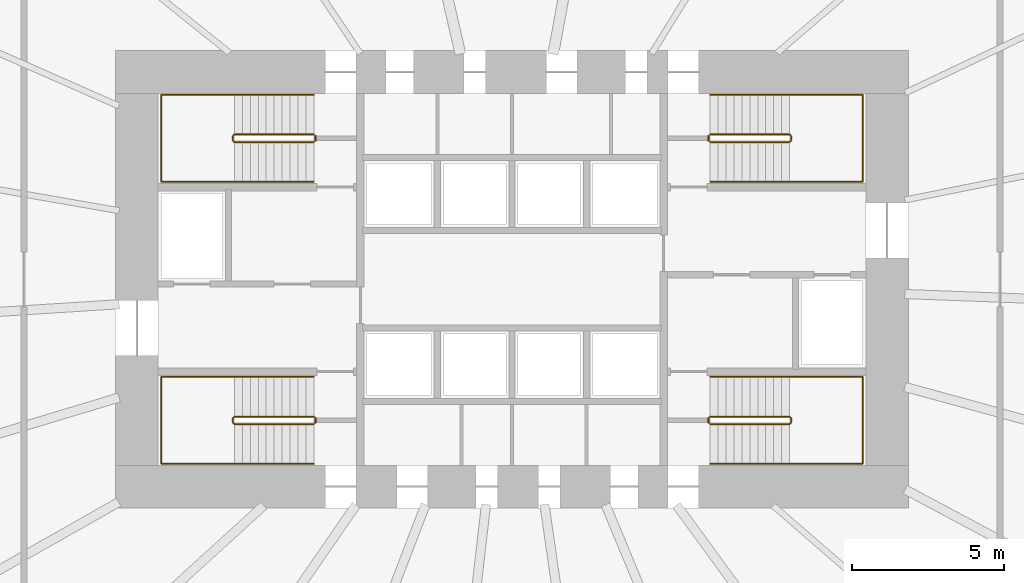
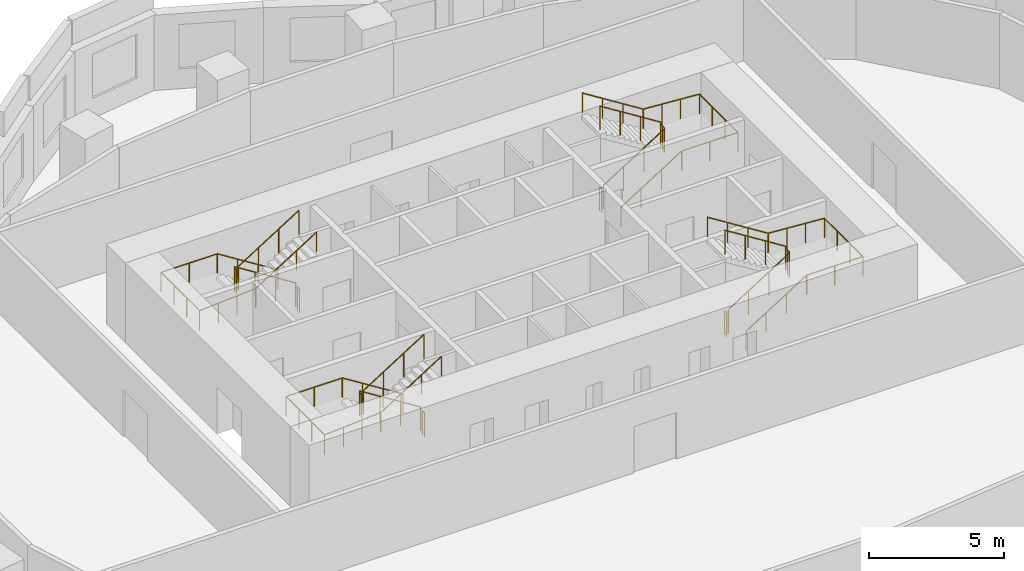
# One storey, part 8 of 8: 12 railings.
"""IFC4 building model written with IfcOpenShell, lengths in metres."""

from ifc_helpers import new_model, si_unit, direction, frame, origin, origin_2d, place, context, subcontext, project, spatial, circle, extrude, material, type_object, element, save


model = new_model("IFC4")

# Units and contexts
model_context = context("Model", 3, precision=1e-05, world=origin(), true_north=direction((0.0, 1.0)))
body_context = subcontext(model_context, "Body", "Model", "MODEL_VIEW")
ifc_project = project(units=[si_unit("LENGTHUNIT", "METRE"), si_unit("AREAUNIT", "SQUARE_METRE"), si_unit("VOLUMEUNIT", "CUBIC_METRE"), si_unit("PLANEANGLEUNIT", "RADIAN"), si_unit("MASSUNIT", "GRAM", prefix="KILO")], contexts=[model_context])

# Site, building, storey
site_placement = place(None, origin())
site = spatial("IfcSite", under=ifc_project, at=site_placement, CompositionType="ELEMENT")
building_placement = place(site_placement, origin())
building = spatial("IfcBuilding", under=site, at=building_placement, Name="Rubra Terraces Tower", CompositionType="ELEMENT")
storey_placement = place(building_placement, frame((0.0, 0.0, 55.5)))
storey = spatial("IfcBuildingStorey", under=building, at=storey_placement, Name="L11", CompositionType="ELEMENT", Elevation=55.5)

# Railings
ifc_material = material(Name="Stainless steel", Category="steel")
railing_type_1 = type_object("IfcRailingType", Name="Core stair guard 1100", PredefinedType="GUARDRAIL", material=ifc_material)
railing_1_placement = place(storey_placement, frame((-6.5, 0.0, 0.16357421875)))
element("IfcRailing", 1, at=railing_1_placement, inside=storey, type_object=railing_type_1, Name="L11 stair S1 guard 1", PredefinedType="GUARDRAIL", context=body_context, shape_type="SweptSolid", body=[
    extrude(circle(Radius=0.02392578125, at=origin_2d()), frame((0.0, 0.0, 1.076171875), z_axis=(-0.846324394277, 0.0, 0.532667832379), x_axis=(0.0, -1.0, 0.0)), (0.0, 0.0, 1.0), 3.072265625),
    extrude(circle(Radius=0.02392578125, at=origin_2d()), frame((-2.60009765625, 0.0, 2.71240234375), z_axis=(-0.705375805398, -0.708833529934, 0.0), x_axis=(0.708833529934, -0.705375805398, 0.0)), (0.0, 0.0, 1.0), 0.070556640625),
    extrude(circle(Radius=0.02392578125, at=origin_2d()), frame((-2.64990234375, -0.050048828125, 2.71240234375), z_axis=(0.0, -1.0, 0.0), x_axis=(1.0, 0.0, 0.0)), (0.0, 0.0, 1.0), 0.14990234375),
    extrude(circle(Radius=0.02392578125, at=origin_2d()), frame((-2.64990234375, -0.199951171875, 2.71240234375), z_axis=(0.279546231943, -0.280916556609, 0.91811752648), x_axis=(0.708833529934, 0.705375805398, 0.0)), (0.0, 0.0, 1.0), 0.17822265625),
    extrude(circle(Radius=0.02392578125, at=origin_2d()), frame((-2.60009765625, -0.25, 2.8759765625), z_axis=(0.846324394277, 0.0, 0.532667832379), x_axis=(0.0, 1.0, 0.0)), (0.0, 0.0, 1.0), 3.072265625),
    extrude(circle(Radius=0.02099609375, at=origin_2d()), origin(), (0.0, 0.0, 1.0), 1.052001953125),
    extrude(circle(Radius=0.02099609375, at=origin_2d()), frame((-0.86669921875, 0.0, 0.54541015625)), (0.0, 0.0, 1.0), 1.052001953125),
    extrude(circle(Radius=0.02099609375, at=origin_2d()), frame((-1.7333984375, 0.0, 1.091064453125)), (0.0, 0.0, 1.0), 1.052001953125),
    extrude(circle(Radius=0.02099609375, at=origin_2d()), frame((-2.60009765625, 0.0, 1.636474609375)), (0.0, 0.0, 1.0), 1.052001953125),
    extrude(circle(Radius=0.02099609375, at=origin_2d()), frame((-2.64990234375, -0.050048828125, 1.636474609375)), (0.0, 0.0, 1.0), 1.052001953125),
    extrude(circle(Radius=0.02099609375, at=origin_2d()), frame((-2.64990234375, -0.199951171875, 1.636474609375)), (0.0, 0.0, 1.0), 1.052001953125),
    extrude(circle(Radius=0.02099609375, at=origin_2d()), frame((-2.60009765625, -0.25, 1.800048828125)), (0.0, 0.0, 1.0), 1.052001953125),
    extrude(circle(Radius=0.02099609375, at=origin_2d()), frame((-1.7333984375, -0.25, 2.345458984375)), (0.0, 0.0, 1.0), 1.052001953125),
    extrude(circle(Radius=0.02099609375, at=origin_2d()), frame((-0.86669921875, -0.25, 2.89111328125)), (0.0, 0.0, 1.0), 1.052001953125),
    extrude(circle(Radius=0.02099609375, at=origin_2d()), frame((0.0, -0.25, 3.4365234375)), (0.0, 0.0, 1.0), 1.052001953125),
])
railing_2_placement = place(storey_placement, frame((-6.449951171875, -0.050048828125, 0.0)))
element("IfcRailing", 2, at=railing_2_placement, inside=storey, type_object=railing_type_1, Name="L11 stair S1 guard 2", PredefinedType="GUARDRAIL", context=body_context, shape_type="SweptSolid", body=[
    extrude(circle(Radius=0.02392578125, at=origin_2d()), frame((0.0, 0.0, 1.076171875), z_axis=(0.0, -1.0, 0.0), x_axis=(1.0, 0.0, 0.0)), (0.0, 0.0, 1.0), 0.14990234375),
    extrude(circle(Radius=0.02099609375, at=origin_2d()), origin(), (0.0, 0.0, 1.0), 1.052001953125),
    extrude(circle(Radius=0.02099609375, at=origin_2d()), frame((0.0, -0.14990234375, 0.0)), (0.0, 0.0, 1.0), 1.052001953125),
])
railing_3_placement = place(storey_placement, frame((-6.5, 9.25, 0.16357421875)))
element("IfcRailing", 3, at=railing_3_placement, inside=storey, type_object=railing_type_1, Name="L11 stair S2 guard 1", PredefinedType="GUARDRAIL", context=body_context, shape_type="SweptSolid", body=[
    extrude(circle(Radius=0.02392578125, at=origin_2d()), frame((0.0, 0.0, 1.076171875), z_axis=(-0.846324394277, 0.0, 0.532667832379), x_axis=(0.0, -1.0, 0.0)), (0.0, 0.0, 1.0), 3.072265625),
    extrude(circle(Radius=0.02392578125, at=origin_2d()), frame((-2.60009765625, 0.0, 2.71240234375), z_axis=(-0.705375805398, -0.708833529934, 0.0), x_axis=(0.708833529934, -0.705375805398, 0.0)), (0.0, 0.0, 1.0), 0.070556640625),
    extrude(circle(Radius=0.02392578125, at=origin_2d()), frame((-2.64990234375, -0.050048828125, 2.71240234375), z_axis=(0.0, -1.0, 0.0), x_axis=(1.0, 0.0, 0.0)), (0.0, 0.0, 1.0), 0.14990234375),
    extrude(circle(Radius=0.02392578125, at=origin_2d()), frame((-2.64990234375, -0.199951171875, 2.71240234375), z_axis=(0.279546231943, -0.280916556609, 0.91811752648), x_axis=(0.708833529934, 0.705375805398, 0.0)), (0.0, 0.0, 1.0), 0.17822265625),
    extrude(circle(Radius=0.02392578125, at=origin_2d()), frame((-2.60009765625, -0.25, 2.8759765625), z_axis=(0.846324394277, 0.0, 0.532667832379), x_axis=(0.0, 1.0, 0.0)), (0.0, 0.0, 1.0), 3.072265625),
    extrude(circle(Radius=0.02099609375, at=origin_2d()), origin(), (0.0, 0.0, 1.0), 1.052001953125),
    extrude(circle(Radius=0.02099609375, at=origin_2d()), frame((-0.86669921875, 0.0, 0.54541015625)), (0.0, 0.0, 1.0), 1.052001953125),
    extrude(circle(Radius=0.02099609375, at=origin_2d()), frame((-1.7333984375, 0.0, 1.091064453125)), (0.0, 0.0, 1.0), 1.052001953125),
    extrude(circle(Radius=0.02099609375, at=origin_2d()), frame((-2.60009765625, 0.0, 1.636474609375)), (0.0, 0.0, 1.0), 1.052001953125),
    extrude(circle(Radius=0.02099609375, at=origin_2d()), frame((-2.64990234375, -0.050048828125, 1.636474609375)), (0.0, 0.0, 1.0), 1.052001953125),
    extrude(circle(Radius=0.02099609375, at=origin_2d()), frame((-2.64990234375, -0.199951171875, 1.636474609375)), (0.0, 0.0, 1.0), 1.052001953125),
    extrude(circle(Radius=0.02099609375, at=origin_2d()), frame((-2.60009765625, -0.25, 1.800048828125)), (0.0, 0.0, 1.0), 1.052001953125),
    extrude(circle(Radius=0.02099609375, at=origin_2d()), frame((-1.7333984375, -0.25, 2.345458984375)), (0.0, 0.0, 1.0), 1.052001953125),
    extrude(circle(Radius=0.02099609375, at=origin_2d()), frame((-0.86669921875, -0.25, 2.89111328125)), (0.0, 0.0, 1.0), 1.052001953125),
    extrude(circle(Radius=0.02099609375, at=origin_2d()), frame((0.0, -0.25, 3.4365234375)), (0.0, 0.0, 1.0), 1.052001953125),
])
railing_4_placement = place(storey_placement, frame((-6.449951171875, 9.199951171875, 0.0)))
element("IfcRailing", 4, at=railing_4_placement, inside=storey, type_object=railing_type_1, Name="L11 stair S2 guard 2", PredefinedType="GUARDRAIL", context=body_context, shape_type="SweptSolid", body=[
    extrude(circle(Radius=0.02392578125, at=origin_2d()), frame((0.0, 0.0, 1.076171875), z_axis=(0.0, -1.0, 0.0), x_axis=(1.0, 0.0, 0.0)), (0.0, 0.0, 1.0), 0.14990234375),
    extrude(circle(Radius=0.02099609375, at=origin_2d()), origin(), (0.0, 0.0, 1.0), 1.052001953125),
    extrude(circle(Radius=0.02099609375, at=origin_2d()), frame((0.0, -0.14990234375, 0.0)), (0.0, 0.0, 1.0), 1.052001953125),
])
railing_5_placement = place(storey_placement, frame((6.5, 9.0, 0.16357421875)))
element("IfcRailing", 5, at=railing_5_placement, inside=storey, type_object=railing_type_1, Name="L11 stair S3 guard 1", PredefinedType="GUARDRAIL", context=body_context, shape_type="SweptSolid", body=[
    extrude(circle(Radius=0.02392578125, at=origin_2d()), frame((0.0, 0.0, 1.076171875), z_axis=(0.846324394277, 0.0, 0.532667832379), x_axis=(0.0, 1.0, 0.0)), (0.0, 0.0, 1.0), 3.072265625),
    extrude(circle(Radius=0.02392578125, at=origin_2d()), frame((2.60009765625, 0.0, 2.71240234375), z_axis=(0.705375805398, 0.708833529934, 0.0), x_axis=(-0.708833529934, 0.705375805398, 0.0)), (0.0, 0.0, 1.0), 0.070556640625),
    extrude(circle(Radius=0.02392578125, at=origin_2d()), frame((2.64990234375, 0.050048828125, 2.71240234375), z_axis=(0.0, 1.0, 0.0), x_axis=(-1.0, 0.0, 0.0)), (0.0, 0.0, 1.0), 0.14990234375),
    extrude(circle(Radius=0.02392578125, at=origin_2d()), frame((2.64990234375, 0.199951171875, 2.71240234375), z_axis=(-0.279546231943, 0.280916556609, 0.91811752648), x_axis=(-0.708833529934, -0.705375805398, 0.0)), (0.0, 0.0, 1.0), 0.17822265625),
    extrude(circle(Radius=0.02392578125, at=origin_2d()), frame((2.60009765625, 0.25, 2.8759765625), z_axis=(-0.846324394277, 0.0, 0.532667832379), x_axis=(0.0, -1.0, 0.0)), (0.0, 0.0, 1.0), 3.072265625),
    extrude(circle(Radius=0.02099609375, at=origin_2d()), origin(), (0.0, 0.0, 1.0), 1.052001953125),
    extrude(circle(Radius=0.02099609375, at=origin_2d()), frame((0.86669921875, 0.0, 0.54541015625)), (0.0, 0.0, 1.0), 1.052001953125),
    extrude(circle(Radius=0.02099609375, at=origin_2d()), frame((1.7333984375, 0.0, 1.091064453125)), (0.0, 0.0, 1.0), 1.052001953125),
    extrude(circle(Radius=0.02099609375, at=origin_2d()), frame((2.60009765625, 0.0, 1.636474609375)), (0.0, 0.0, 1.0), 1.052001953125),
    extrude(circle(Radius=0.02099609375, at=origin_2d()), frame((2.64990234375, 0.050048828125, 1.636474609375)), (0.0, 0.0, 1.0), 1.052001953125),
    extrude(circle(Radius=0.02099609375, at=origin_2d()), frame((2.64990234375, 0.199951171875, 1.636474609375)), (0.0, 0.0, 1.0), 1.052001953125),
    extrude(circle(Radius=0.02099609375, at=origin_2d()), frame((2.60009765625, 0.25, 1.800048828125)), (0.0, 0.0, 1.0), 1.052001953125),
    extrude(circle(Radius=0.02099609375, at=origin_2d()), frame((1.7333984375, 0.25, 2.345458984375)), (0.0, 0.0, 1.0), 1.052001953125),
    extrude(circle(Radius=0.02099609375, at=origin_2d()), frame((0.86669921875, 0.25, 2.89111328125)), (0.0, 0.0, 1.0), 1.052001953125),
    extrude(circle(Radius=0.02099609375, at=origin_2d()), frame((0.0, 0.25, 3.4365234375)), (0.0, 0.0, 1.0), 1.052001953125),
])
railing_6_placement = place(storey_placement, frame((6.449951171875, 9.050048828125, 0.0)))
element("IfcRailing", 6, at=railing_6_placement, inside=storey, type_object=railing_type_1, Name="L11 stair S3 guard 2", PredefinedType="GUARDRAIL", context=body_context, shape_type="SweptSolid", body=[
    extrude(circle(Radius=0.02392578125, at=origin_2d()), frame((0.0, 0.0, 1.076171875), z_axis=(0.0, 1.0, 0.0), x_axis=(-1.0, 0.0, 0.0)), (0.0, 0.0, 1.0), 0.14990234375),
    extrude(circle(Radius=0.02099609375, at=origin_2d()), origin(), (0.0, 0.0, 1.0), 1.052001953125),
    extrude(circle(Radius=0.02099609375, at=origin_2d()), frame((0.0, 0.14990234375, 0.0)), (0.0, 0.0, 1.0), 1.052001953125),
])
railing_7_placement = place(storey_placement, frame((6.5, -0.25, 0.16357421875)))
element("IfcRailing", 7, at=railing_7_placement, inside=storey, type_object=railing_type_1, Name="L11 stair S4 guard 1", PredefinedType="GUARDRAIL", context=body_context, shape_type="SweptSolid", body=[
    extrude(circle(Radius=0.02392578125, at=origin_2d()), frame((0.0, 0.0, 1.076171875), z_axis=(0.846324394277, 0.0, 0.532667832379), x_axis=(0.0, 1.0, 0.0)), (0.0, 0.0, 1.0), 3.072265625),
    extrude(circle(Radius=0.02392578125, at=origin_2d()), frame((2.60009765625, 0.0, 2.71240234375), z_axis=(0.705375805398, 0.708833529934, 0.0), x_axis=(-0.708833529934, 0.705375805398, 0.0)), (0.0, 0.0, 1.0), 0.070556640625),
    extrude(circle(Radius=0.02392578125, at=origin_2d()), frame((2.64990234375, 0.050048828125, 2.71240234375), z_axis=(0.0, 1.0, 0.0), x_axis=(-1.0, 0.0, 0.0)), (0.0, 0.0, 1.0), 0.14990234375),
    extrude(circle(Radius=0.02392578125, at=origin_2d()), frame((2.64990234375, 0.199951171875, 2.71240234375), z_axis=(-0.279546231943, 0.280916556609, 0.91811752648), x_axis=(-0.708833529934, -0.705375805398, 0.0)), (0.0, 0.0, 1.0), 0.17822265625),
    extrude(circle(Radius=0.02392578125, at=origin_2d()), frame((2.60009765625, 0.25, 2.8759765625), z_axis=(-0.846324394277, 0.0, 0.532667832379), x_axis=(0.0, -1.0, 0.0)), (0.0, 0.0, 1.0), 3.072265625),
    extrude(circle(Radius=0.02099609375, at=origin_2d()), origin(), (0.0, 0.0, 1.0), 1.052001953125),
    extrude(circle(Radius=0.02099609375, at=origin_2d()), frame((0.86669921875, 0.0, 0.54541015625)), (0.0, 0.0, 1.0), 1.052001953125),
    extrude(circle(Radius=0.02099609375, at=origin_2d()), frame((1.7333984375, 0.0, 1.091064453125)), (0.0, 0.0, 1.0), 1.052001953125),
    extrude(circle(Radius=0.02099609375, at=origin_2d()), frame((2.60009765625, 0.0, 1.636474609375)), (0.0, 0.0, 1.0), 1.052001953125),
    extrude(circle(Radius=0.02099609375, at=origin_2d()), frame((2.64990234375, 0.050048828125, 1.636474609375)), (0.0, 0.0, 1.0), 1.052001953125),
    extrude(circle(Radius=0.02099609375, at=origin_2d()), frame((2.64990234375, 0.199951171875, 1.636474609375)), (0.0, 0.0, 1.0), 1.052001953125),
    extrude(circle(Radius=0.02099609375, at=origin_2d()), frame((2.60009765625, 0.25, 1.800048828125)), (0.0, 0.0, 1.0), 1.052001953125),
    extrude(circle(Radius=0.02099609375, at=origin_2d()), frame((1.7333984375, 0.25, 2.345458984375)), (0.0, 0.0, 1.0), 1.052001953125),
    extrude(circle(Radius=0.02099609375, at=origin_2d()), frame((0.86669921875, 0.25, 2.89111328125)), (0.0, 0.0, 1.0), 1.052001953125),
    extrude(circle(Radius=0.02099609375, at=origin_2d()), frame((0.0, 0.25, 3.4365234375)), (0.0, 0.0, 1.0), 1.052001953125),
])
railing_8_placement = place(storey_placement, frame((6.449951171875, -0.199951171875, 0.0)))
element("IfcRailing", 8, at=railing_8_placement, inside=storey, type_object=railing_type_1, Name="L11 stair S4 guard 2", PredefinedType="GUARDRAIL", context=body_context, shape_type="SweptSolid", body=[
    extrude(circle(Radius=0.02392578125, at=origin_2d()), frame((0.0, 0.0, 1.076171875), z_axis=(0.0, 1.0, 0.0), x_axis=(-1.0, 0.0, 0.0)), (0.0, 0.0, 1.0), 0.14990234375),
    extrude(circle(Radius=0.02099609375, at=origin_2d()), origin(), (0.0, 0.0, 1.0), 1.052001953125),
    extrude(circle(Radius=0.02099609375, at=origin_2d()), frame((0.0, 0.14990234375, 0.0)), (0.0, 0.0, 1.0), 1.052001953125),
])
railing_type_2 = type_object("IfcRailingType", Name="Core stair handrail 900", PredefinedType="HANDRAIL", material=ifc_material)
railing_9_placement = place(storey_placement, frame((-6.5, 1.300048828125, 0.16357421875)))
element("IfcRailing", 9, at=railing_9_placement, inside=storey, type_object=railing_type_2, Name="L11 stair S1 handrail 1", PredefinedType="HANDRAIL", context=body_context, shape_type="SweptSolid", body=[
    extrude(circle(Radius=0.02392578125, at=origin_2d()), frame((0.0, 0.0, 0.8759765625), z_axis=(-0.846324394277, 0.0, 0.532667832379), x_axis=(0.0, -1.0, 0.0)), (0.0, 0.0, 1.0), 3.072265625),
    extrude(circle(Radius=0.02392578125, at=origin_2d()), frame((-2.60009765625, 0.0, 2.51220703125), z_axis=(-1.0, 0.0, 0.0), x_axis=(0.0, -1.0, 0.0)), (0.0, 0.0, 1.0), 2.39990234375),
    extrude(circle(Radius=0.02392578125, at=origin_2d()), frame((-5.0, 0.0, 2.51220703125), z_axis=(0.0, -1.0, 0.0), x_axis=(1.0, 0.0, 0.0)), (0.0, 0.0, 1.0), 2.85009765625),
    extrude(circle(Radius=0.02392578125, at=origin_2d()), frame((-5.0, -2.85009765625, 2.51220703125), z_axis=(0.997685257876, 0.0, 0.068000928055), x_axis=(0.0, 1.0, 0.0)), (0.0, 0.0, 1.0), 2.405517578125),
    extrude(circle(Radius=0.02392578125, at=origin_2d()), frame((-2.60009765625, -2.85009765625, 2.67578125), z_axis=(0.846324394277, 0.0, 0.532667832379), x_axis=(0.0, 1.0, 0.0)), (0.0, 0.0, 1.0), 3.072265625),
    extrude(circle(Radius=0.02099609375, at=origin_2d()), origin(), (0.0, 0.0, 1.0), 0.851806640625),
    extrude(circle(Radius=0.02099609375, at=origin_2d()), frame((-0.86669921875, 0.0, 0.54541015625)), (0.0, 0.0, 1.0), 0.851806640625),
    extrude(circle(Radius=0.02099609375, at=origin_2d()), frame((-1.7333984375, 0.0, 1.091064453125)), (0.0, 0.0, 1.0), 0.851806640625),
    extrude(circle(Radius=0.02099609375, at=origin_2d()), frame((-2.60009765625, 0.0, 1.636474609375)), (0.0, 0.0, 1.0), 0.851806640625),
    extrude(circle(Radius=0.02099609375, at=origin_2d()), frame((-3.800048828125, 0.0, 1.636474609375)), (0.0, 0.0, 1.0), 0.851806640625),
    extrude(circle(Radius=0.02099609375, at=origin_2d()), frame((-5.0, 0.0, 1.636474609375)), (0.0, 0.0, 1.0), 0.851806640625),
    extrude(circle(Radius=0.02099609375, at=origin_2d()), frame((-5.0, -0.949951171875, 1.636474609375)), (0.0, 0.0, 1.0), 0.851806640625),
    extrude(circle(Radius=0.02099609375, at=origin_2d()), frame((-5.0, -1.900146484375, 1.636474609375)), (0.0, 0.0, 1.0), 0.851806640625),
    extrude(circle(Radius=0.02099609375, at=origin_2d()), frame((-5.0, -2.85009765625, 1.636474609375)), (0.0, 0.0, 1.0), 0.851806640625),
    extrude(circle(Radius=0.02099609375, at=origin_2d()), frame((-4.199951171875, -2.85009765625, 1.69091796875)), (0.0, 0.0, 1.0), 0.851806640625),
    extrude(circle(Radius=0.02099609375, at=origin_2d()), frame((-3.400146484375, -2.85009765625, 1.74560546875)), (0.0, 0.0, 1.0), 0.851806640625),
    extrude(circle(Radius=0.02099609375, at=origin_2d()), frame((-2.60009765625, -2.85009765625, 1.800048828125)), (0.0, 0.0, 1.0), 0.851806640625),
    extrude(circle(Radius=0.02099609375, at=origin_2d()), frame((-1.7333984375, -2.85009765625, 2.345458984375)), (0.0, 0.0, 1.0), 0.851806640625),
    extrude(circle(Radius=0.02099609375, at=origin_2d()), frame((-0.86669921875, -2.85009765625, 2.89111328125)), (0.0, 0.0, 1.0), 0.851806640625),
    extrude(circle(Radius=0.02099609375, at=origin_2d()), frame((0.0, -2.85009765625, 3.4365234375)), (0.0, 0.0, 1.0), 0.851806640625),
])
railing_10_placement = place(storey_placement, frame((-6.5, 10.550048828125, 0.16357421875)))
element("IfcRailing", 10, at=railing_10_placement, inside=storey, type_object=railing_type_2, Name="L11 stair S2 handrail 1", PredefinedType="HANDRAIL", context=body_context, shape_type="SweptSolid", body=[
    extrude(circle(Radius=0.02392578125, at=origin_2d()), frame((0.0, 0.0, 0.8759765625), z_axis=(-0.846324394277, 0.0, 0.532667832379), x_axis=(0.0, -1.0, 0.0)), (0.0, 0.0, 1.0), 3.072265625),
    extrude(circle(Radius=0.02392578125, at=origin_2d()), frame((-2.60009765625, 0.0, 2.51220703125), z_axis=(-1.0, 0.0, 0.0), x_axis=(0.0, -1.0, 0.0)), (0.0, 0.0, 1.0), 2.39990234375),
    extrude(circle(Radius=0.02392578125, at=origin_2d()), frame((-5.0, 0.0, 2.51220703125), z_axis=(0.0, -1.0, 0.0), x_axis=(1.0, 0.0, 0.0)), (0.0, 0.0, 1.0), 2.85009765625),
    extrude(circle(Radius=0.02392578125, at=origin_2d()), frame((-5.0, -2.85009765625, 2.51220703125), z_axis=(0.997685257876, 0.0, 0.068000928055), x_axis=(0.0, 1.0, 0.0)), (0.0, 0.0, 1.0), 2.405517578125),
    extrude(circle(Radius=0.02392578125, at=origin_2d()), frame((-2.60009765625, -2.85009765625, 2.67578125), z_axis=(0.846324394277, 0.0, 0.532667832379), x_axis=(0.0, 1.0, 0.0)), (0.0, 0.0, 1.0), 3.072265625),
    extrude(circle(Radius=0.02099609375, at=origin_2d()), origin(), (0.0, 0.0, 1.0), 0.851806640625),
    extrude(circle(Radius=0.02099609375, at=origin_2d()), frame((-0.86669921875, 0.0, 0.54541015625)), (0.0, 0.0, 1.0), 0.851806640625),
    extrude(circle(Radius=0.02099609375, at=origin_2d()), frame((-1.7333984375, 0.0, 1.091064453125)), (0.0, 0.0, 1.0), 0.851806640625),
    extrude(circle(Radius=0.02099609375, at=origin_2d()), frame((-2.60009765625, 0.0, 1.636474609375)), (0.0, 0.0, 1.0), 0.851806640625),
    extrude(circle(Radius=0.02099609375, at=origin_2d()), frame((-3.800048828125, 0.0, 1.636474609375)), (0.0, 0.0, 1.0), 0.851806640625),
    extrude(circle(Radius=0.02099609375, at=origin_2d()), frame((-5.0, 0.0, 1.636474609375)), (0.0, 0.0, 1.0), 0.851806640625),
    extrude(circle(Radius=0.02099609375, at=origin_2d()), frame((-5.0, -0.949951171875, 1.636474609375)), (0.0, 0.0, 1.0), 0.851806640625),
    extrude(circle(Radius=0.02099609375, at=origin_2d()), frame((-5.0, -1.900146484375, 1.636474609375)), (0.0, 0.0, 1.0), 0.851806640625),
    extrude(circle(Radius=0.02099609375, at=origin_2d()), frame((-5.0, -2.85009765625, 1.636474609375)), (0.0, 0.0, 1.0), 0.851806640625),
    extrude(circle(Radius=0.02099609375, at=origin_2d()), frame((-4.199951171875, -2.85009765625, 1.69091796875)), (0.0, 0.0, 1.0), 0.851806640625),
    extrude(circle(Radius=0.02099609375, at=origin_2d()), frame((-3.400146484375, -2.85009765625, 1.74560546875)), (0.0, 0.0, 1.0), 0.851806640625),
    extrude(circle(Radius=0.02099609375, at=origin_2d()), frame((-2.60009765625, -2.85009765625, 1.800048828125)), (0.0, 0.0, 1.0), 0.851806640625),
    extrude(circle(Radius=0.02099609375, at=origin_2d()), frame((-1.7333984375, -2.85009765625, 2.345458984375)), (0.0, 0.0, 1.0), 0.851806640625),
    extrude(circle(Radius=0.02099609375, at=origin_2d()), frame((-0.86669921875, -2.85009765625, 2.89111328125)), (0.0, 0.0, 1.0), 0.851806640625),
    extrude(circle(Radius=0.02099609375, at=origin_2d()), frame((0.0, -2.85009765625, 3.4365234375)), (0.0, 0.0, 1.0), 0.851806640625),
])
railing_11_placement = place(storey_placement, frame((6.5, 7.699951171875, 0.16357421875)))
element("IfcRailing", 11, at=railing_11_placement, inside=storey, type_object=railing_type_2, Name="L11 stair S3 handrail 1", PredefinedType="HANDRAIL", context=body_context, shape_type="SweptSolid", body=[
    extrude(circle(Radius=0.02392578125, at=origin_2d()), frame((0.0, 0.0, 0.8759765625), z_axis=(0.846324394277, 0.0, 0.532667832379), x_axis=(0.0, 1.0, 0.0)), (0.0, 0.0, 1.0), 3.072265625),
    extrude(circle(Radius=0.02392578125, at=origin_2d()), frame((2.60009765625, 0.0, 2.51220703125), z_axis=(1.0, 0.0, 0.0), x_axis=(0.0, 1.0, 0.0)), (0.0, 0.0, 1.0), 2.39990234375),
    extrude(circle(Radius=0.02392578125, at=origin_2d()), frame((5.0, 0.0, 2.51220703125), z_axis=(0.0, 1.0, 0.0), x_axis=(-1.0, 0.0, 0.0)), (0.0, 0.0, 1.0), 2.85009765625),
    extrude(circle(Radius=0.02392578125, at=origin_2d()), frame((5.0, 2.85009765625, 2.51220703125), z_axis=(-0.997685257876, 0.0, 0.068000928055), x_axis=(0.0, -1.0, 0.0)), (0.0, 0.0, 1.0), 2.405517578125),
    extrude(circle(Radius=0.02392578125, at=origin_2d()), frame((2.60009765625, 2.85009765625, 2.67578125), z_axis=(-0.846324394277, 0.0, 0.532667832379), x_axis=(0.0, -1.0, 0.0)), (0.0, 0.0, 1.0), 3.072265625),
    extrude(circle(Radius=0.02099609375, at=origin_2d()), origin(), (0.0, 0.0, 1.0), 0.851806640625),
    extrude(circle(Radius=0.02099609375, at=origin_2d()), frame((0.86669921875, 0.0, 0.54541015625)), (0.0, 0.0, 1.0), 0.851806640625),
    extrude(circle(Radius=0.02099609375, at=origin_2d()), frame((1.7333984375, 0.0, 1.091064453125)), (0.0, 0.0, 1.0), 0.851806640625),
    extrude(circle(Radius=0.02099609375, at=origin_2d()), frame((2.60009765625, 0.0, 1.636474609375)), (0.0, 0.0, 1.0), 0.851806640625),
    extrude(circle(Radius=0.02099609375, at=origin_2d()), frame((3.800048828125, 0.0, 1.636474609375)), (0.0, 0.0, 1.0), 0.851806640625),
    extrude(circle(Radius=0.02099609375, at=origin_2d()), frame((5.0, 0.0, 1.636474609375)), (0.0, 0.0, 1.0), 0.851806640625),
    extrude(circle(Radius=0.02099609375, at=origin_2d()), frame((5.0, 0.949951171875, 1.636474609375)), (0.0, 0.0, 1.0), 0.851806640625),
    extrude(circle(Radius=0.02099609375, at=origin_2d()), frame((5.0, 1.900146484375, 1.636474609375)), (0.0, 0.0, 1.0), 0.851806640625),
    extrude(circle(Radius=0.02099609375, at=origin_2d()), frame((5.0, 2.85009765625, 1.636474609375)), (0.0, 0.0, 1.0), 0.851806640625),
    extrude(circle(Radius=0.02099609375, at=origin_2d()), frame((4.199951171875, 2.85009765625, 1.69091796875)), (0.0, 0.0, 1.0), 0.851806640625),
    extrude(circle(Radius=0.02099609375, at=origin_2d()), frame((3.400146484375, 2.85009765625, 1.74560546875)), (0.0, 0.0, 1.0), 0.851806640625),
    extrude(circle(Radius=0.02099609375, at=origin_2d()), frame((2.60009765625, 2.85009765625, 1.800048828125)), (0.0, 0.0, 1.0), 0.851806640625),
    extrude(circle(Radius=0.02099609375, at=origin_2d()), frame((1.7333984375, 2.85009765625, 2.345458984375)), (0.0, 0.0, 1.0), 0.851806640625),
    extrude(circle(Radius=0.02099609375, at=origin_2d()), frame((0.86669921875, 2.85009765625, 2.89111328125)), (0.0, 0.0, 1.0), 0.851806640625),
    extrude(circle(Radius=0.02099609375, at=origin_2d()), frame((0.0, 2.85009765625, 3.4365234375)), (0.0, 0.0, 1.0), 0.851806640625),
])
railing_12_placement = place(storey_placement, frame((6.5, -1.550048828125, 0.16357421875)))
element("IfcRailing", 12, at=railing_12_placement, inside=storey, type_object=railing_type_2, Name="L11 stair S4 handrail 1", PredefinedType="HANDRAIL", context=body_context, shape_type="SweptSolid", body=[
    extrude(circle(Radius=0.02392578125, at=origin_2d()), frame((0.0, 0.0, 0.8759765625), z_axis=(0.846324394277, 0.0, 0.532667832379), x_axis=(0.0, 1.0, 0.0)), (0.0, 0.0, 1.0), 3.072265625),
    extrude(circle(Radius=0.02392578125, at=origin_2d()), frame((2.60009765625, 0.0, 2.51220703125), z_axis=(1.0, 0.0, 0.0), x_axis=(0.0, 1.0, 0.0)), (0.0, 0.0, 1.0), 2.39990234375),
    extrude(circle(Radius=0.02392578125, at=origin_2d()), frame((5.0, 0.0, 2.51220703125), z_axis=(0.0, 1.0, 0.0), x_axis=(-1.0, 0.0, 0.0)), (0.0, 0.0, 1.0), 2.85009765625),
    extrude(circle(Radius=0.02392578125, at=origin_2d()), frame((5.0, 2.85009765625, 2.51220703125), z_axis=(-0.997685257876, 0.0, 0.068000928055), x_axis=(0.0, -1.0, 0.0)), (0.0, 0.0, 1.0), 2.405517578125),
    extrude(circle(Radius=0.02392578125, at=origin_2d()), frame((2.60009765625, 2.85009765625, 2.67578125), z_axis=(-0.846324394277, 0.0, 0.532667832379), x_axis=(0.0, -1.0, 0.0)), (0.0, 0.0, 1.0), 3.072265625),
    extrude(circle(Radius=0.02099609375, at=origin_2d()), origin(), (0.0, 0.0, 1.0), 0.851806640625),
    extrude(circle(Radius=0.02099609375, at=origin_2d()), frame((0.86669921875, 0.0, 0.54541015625)), (0.0, 0.0, 1.0), 0.851806640625),
    extrude(circle(Radius=0.02099609375, at=origin_2d()), frame((1.7333984375, 0.0, 1.091064453125)), (0.0, 0.0, 1.0), 0.851806640625),
    extrude(circle(Radius=0.02099609375, at=origin_2d()), frame((2.60009765625, 0.0, 1.636474609375)), (0.0, 0.0, 1.0), 0.851806640625),
    extrude(circle(Radius=0.02099609375, at=origin_2d()), frame((3.800048828125, 0.0, 1.636474609375)), (0.0, 0.0, 1.0), 0.851806640625),
    extrude(circle(Radius=0.02099609375, at=origin_2d()), frame((5.0, 0.0, 1.636474609375)), (0.0, 0.0, 1.0), 0.851806640625),
    extrude(circle(Radius=0.02099609375, at=origin_2d()), frame((5.0, 0.949951171875, 1.636474609375)), (0.0, 0.0, 1.0), 0.851806640625),
    extrude(circle(Radius=0.02099609375, at=origin_2d()), frame((5.0, 1.900146484375, 1.636474609375)), (0.0, 0.0, 1.0), 0.851806640625),
    extrude(circle(Radius=0.02099609375, at=origin_2d()), frame((5.0, 2.85009765625, 1.636474609375)), (0.0, 0.0, 1.0), 0.851806640625),
    extrude(circle(Radius=0.02099609375, at=origin_2d()), frame((4.199951171875, 2.85009765625, 1.69091796875)), (0.0, 0.0, 1.0), 0.851806640625),
    extrude(circle(Radius=0.02099609375, at=origin_2d()), frame((3.400146484375, 2.85009765625, 1.74560546875)), (0.0, 0.0, 1.0), 0.851806640625),
    extrude(circle(Radius=0.02099609375, at=origin_2d()), frame((2.60009765625, 2.85009765625, 1.800048828125)), (0.0, 0.0, 1.0), 0.851806640625),
    extrude(circle(Radius=0.02099609375, at=origin_2d()), frame((1.7333984375, 2.85009765625, 2.345458984375)), (0.0, 0.0, 1.0), 0.851806640625),
    extrude(circle(Radius=0.02099609375, at=origin_2d()), frame((0.86669921875, 2.85009765625, 2.89111328125)), (0.0, 0.0, 1.0), 0.851806640625),
    extrude(circle(Radius=0.02099609375, at=origin_2d()), frame((0.0, 2.85009765625, 3.4365234375)), (0.0, 0.0, 1.0), 0.851806640625),
])

save(model, "model.ifc")
